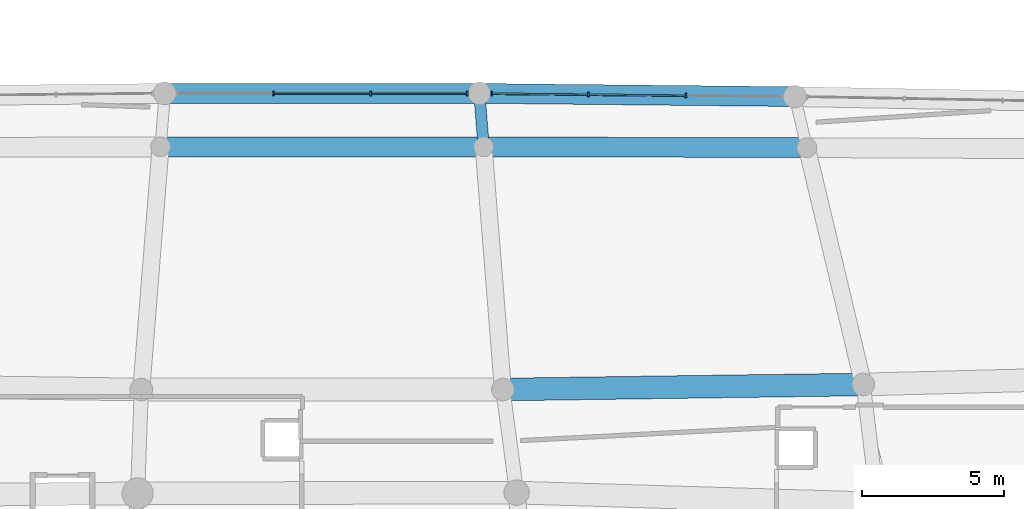
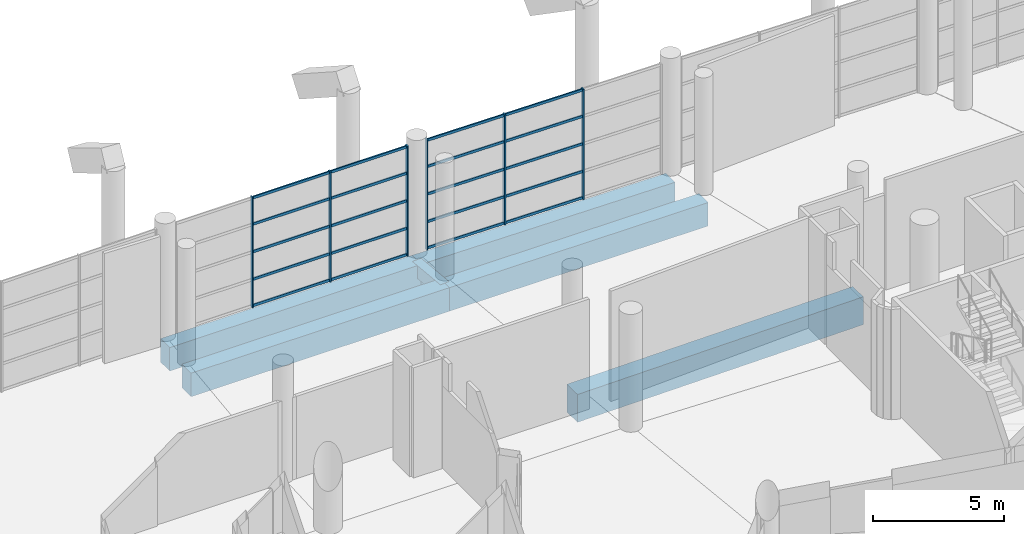
# One storey, part 28 of 271: 26 members, 6 beams, 2 elements without a shape of their own.
"""IFC4 building model written with IfcOpenShell, lengths in metres."""

from ifc_helpers import new_model, si_unit, direction, frame, origin, origin_2d, place, context, subcontext, project, spatial, rectangle, extrude, material, layer, layer_set, material_profile, profile_set, type_object, element, aggregate, save


model = new_model("IFC4")

# Units and contexts
model_context = context("Model", 3, precision=1e-05, world=origin(), true_north=direction((0.0, 1.0)))
body_context = subcontext(model_context, "Body", "Model", "MODEL_VIEW")
ifc_project = project(units=[si_unit("LENGTHUNIT", "METRE"), si_unit("AREAUNIT", "SQUARE_METRE"), si_unit("VOLUMEUNIT", "CUBIC_METRE"), si_unit("PLANEANGLEUNIT", "RADIAN"), si_unit("MASSUNIT", "GRAM", prefix="KILO")], contexts=[model_context])

# Site, building, storey
site_placement = place(None, origin())
site = spatial("IfcSite", under=ifc_project, at=site_placement, CompositionType="ELEMENT")
building_placement = place(site_placement, origin())
building = spatial("IfcBuilding", under=site, at=building_placement, Name="Meseta Stadium", CompositionType="ELEMENT")
storey_placement = place(building_placement, frame((0.0, 0.0, 6.5)))
storey = spatial("IfcBuildingStorey", under=building, at=storey_placement, Name="L01", CompositionType="ELEMENT", Elevation=6.5)

# Curtain wall, members
ifc_material_1 = material(Name="Aluminium", Category="aluminium")
ifc_layer = layer(ifc_material_1, 0.199951171875)
ifc_layer_set = layer_set([ifc_layer], Name="Club glazing curtain wall")
curtain_wall_type = type_object("IfcCurtainWallType", Name="Club glazing curtain wall", PredefinedType="NOTDEFINED", material=ifc_layer_set)
curtain_wall_1_placement = place(storey_placement, origin())
curtain_wall_1 = element("IfcCurtainWall", 1, at=curtain_wall_1_placement, inside=storey, type_object=curtain_wall_type, Name="Club glazing bay 46", PredefinedType="NOTDEFINED")
ifc_material_2 = material(Name="Aluminium", Category="aluminium")
ifc_material_profile_1 = material_profile(ifc_material_2, rectangle(XDim=0.159912109375, YDim=0.06005859375, at=origin_2d()), Name="CW 160x60")
ifc_profile_set_1 = profile_set([ifc_material_profile_1], Name="Aluminium")
member_type_1 = type_object("IfcMemberType", Name="CW mullion 60x160", PredefinedType="MULLION", material=ifc_profile_set_1)
member_1_placement = place(storey_placement, frame((-1.718994140625, -75.4150390625, 0.0), z_axis=(0.0, 0.0, 1.0), x_axis=(0.0, 1.0, 0.0)))
member_1 = element("IfcMember", 2, at=member_1_placement, type_object=member_type_1, Name="CWC mullion 2", PredefinedType="MULLION", context=body_context, shape_type="SweptSolid", body=[
    extrude(rectangle(XDim=0.159912109375, YDim=0.06005859375, at=origin_2d()), origin(), (0.0, 0.0, 1.0), 5.14990234375),
])
member_2_placement = place(storey_placement, frame((1.718994140625, -75.4150390625, 0.0), z_axis=(0.0, 0.0, 1.0), x_axis=(0.0, 1.0, 0.0)))
member_2 = element("IfcMember", 3, at=member_2_placement, type_object=member_type_1, Name="CWC mullion 3", PredefinedType="MULLION", context=body_context, shape_type="SweptSolid", body=[
    extrude(rectangle(XDim=0.159912109375, YDim=0.06005859375, at=origin_2d()), origin(), (0.0, 0.0, 1.0), 5.14990234375),
])
member_3_placement = place(storey_placement, frame((5.126708984375, -75.4150390625, 0.0), z_axis=(0.0, 0.0, 1.0), x_axis=(0.0, 1.0, 0.0)))
member_3 = element("IfcMember", 4, at=member_3_placement, type_object=member_type_1, Name="CWC mullion 4", PredefinedType="MULLION", context=body_context, shape_type="SweptSolid", body=[
    extrude(rectangle(XDim=0.159912109375, YDim=0.06005859375, at=origin_2d()), origin(), (0.0, 0.0, 1.0), 5.14990234375),
])

curtain_wall_2_placement = place(storey_placement, origin())
curtain_wall_2 = element("IfcCurtainWall", 5, at=curtain_wall_2_placement, inside=storey, type_object=curtain_wall_type, Name="Club glazing bay 47", PredefinedType="NOTDEFINED")
member_4_placement = place(storey_placement, frame((5.986572265625, -75.41943359375, 0.0), z_axis=(0.0, 0.0, 1.0), x_axis=(0.010278991253, 0.999947169774, 0.0)))
member_4 = element("IfcMember", 6, at=member_4_placement, type_object=member_type_1, Name="CWC mullion 1", PredefinedType="MULLION", context=body_context, shape_type="SweptSolid", body=[
    extrude(rectangle(XDim=0.159912109375, YDim=0.06005859375, at=origin_2d()), origin(), (0.0, 0.0, 1.0), 5.14990234375),
])
member_5_placement = place(storey_placement, frame((9.403564453125, -75.454345703125, 0.0), z_axis=(0.0, 0.0, 1.0), x_axis=(0.010278991253, 0.999947169774, 0.0)))
member_5 = element("IfcMember", 7, at=member_5_placement, type_object=member_type_1, Name="CWC mullion 2", PredefinedType="MULLION", context=body_context, shape_type="SweptSolid", body=[
    extrude(rectangle(XDim=0.159912109375, YDim=0.06005859375, at=origin_2d()), origin(), (0.0, 0.0, 1.0), 5.14990234375),
])
member_6_placement = place(storey_placement, frame((12.8505859375, -75.489990234375, 0.0), z_axis=(0.0, 0.0, 1.0), x_axis=(0.010278991253, 0.999947169774, 0.0)))
member_6 = element("IfcMember", 8, at=member_6_placement, type_object=member_type_1, Name="CWC mullion 3", PredefinedType="MULLION", context=body_context, shape_type="SweptSolid", body=[
    extrude(rectangle(XDim=0.159912109375, YDim=0.06005859375, at=origin_2d()), origin(), (0.0, 0.0, 1.0), 5.14990234375),
])

# Member
ifc_material_3 = material(Name="Aluminium", Category="aluminium")
ifc_material_profile_2 = material_profile(ifc_material_3, rectangle(XDim=0.06005859375, YDim=0.1201171875, at=origin_2d()), Name="CW 60x120")
ifc_profile_set_2 = profile_set([ifc_material_profile_2], Name="Aluminium")
member_type_2 = type_object("IfcMemberType", Name="CW transom 60x120", PredefinedType="USERDEFINED", material=ifc_profile_set_2)
member_7_placement = place(storey_placement, frame((-1.68896484375, -75.4150390625, 0.06005859375), z_axis=(1.0, 0.0, 0.0), x_axis=(0.0, 1.0, 0.0)))
member_7 = element("IfcMember", 9, at=member_7_placement, type_object=member_type_2, Name="CWC transom 2.1", ObjectType="TRANSOM", PredefinedType="USERDEFINED", context=body_context, shape_type="SweptSolid", body=[
    extrude(rectangle(XDim=0.06005859375, YDim=0.1201171875, at=origin_2d()), origin(), (0.0, 0.0, 1.0), 3.3779296875),
])

member_8_placement = place(storey_placement, frame((-1.68896484375, -75.4150390625, 1.28759765625), z_axis=(1.0, 0.0, 0.0), x_axis=(0.0, 1.0, 0.0)))
member_8 = element("IfcMember", 10, at=member_8_placement, type_object=member_type_2, Name="CWC transom 2.2", ObjectType="TRANSOM", PredefinedType="USERDEFINED", context=body_context, shape_type="SweptSolid", body=[
    extrude(rectangle(XDim=0.06005859375, YDim=0.1201171875, at=origin_2d()), origin(), (0.0, 0.0, 1.0), 3.3779296875),
])

member_9_placement = place(storey_placement, frame((-1.68896484375, -75.4150390625, 2.574951171875), z_axis=(1.0, 0.0, 0.0), x_axis=(0.0, 1.0, 0.0)))
member_9 = element("IfcMember", 11, at=member_9_placement, type_object=member_type_2, Name="CWC transom 2.3", ObjectType="TRANSOM", PredefinedType="USERDEFINED", context=body_context, shape_type="SweptSolid", body=[
    extrude(rectangle(XDim=0.06005859375, YDim=0.1201171875, at=origin_2d()), origin(), (0.0, 0.0, 1.0), 3.3779296875),
])

member_10_placement = place(storey_placement, frame((-1.68896484375, -75.4150390625, 3.862548828125), z_axis=(1.0, 0.0, 0.0), x_axis=(0.0, 1.0, 0.0)))
member_10 = element("IfcMember", 12, at=member_10_placement, type_object=member_type_2, Name="CWC transom 2.4", ObjectType="TRANSOM", PredefinedType="USERDEFINED", context=body_context, shape_type="SweptSolid", body=[
    extrude(rectangle(XDim=0.06005859375, YDim=0.1201171875, at=origin_2d()), origin(), (0.0, 0.0, 1.0), 3.3779296875),
])

member_11_placement = place(storey_placement, frame((-1.68896484375, -75.4150390625, 5.090087890625), z_axis=(1.0, 0.0, 0.0), x_axis=(0.0, 1.0, 0.0)))
member_11 = element("IfcMember", 13, at=member_11_placement, type_object=member_type_2, Name="CWC transom 2.5", ObjectType="TRANSOM", PredefinedType="USERDEFINED", context=body_context, shape_type="SweptSolid", body=[
    extrude(rectangle(XDim=0.06005859375, YDim=0.1201171875, at=origin_2d()), origin(), (0.0, 0.0, 1.0), 3.3779296875),
])

member_12_placement = place(storey_placement, frame((1.7490234375, -75.4150390625, 0.06005859375), z_axis=(1.0, 0.0, 0.0), x_axis=(0.0, 1.0, 0.0)))
member_12 = element("IfcMember", 14, at=member_12_placement, type_object=member_type_2, Name="CWC transom 3.1", ObjectType="TRANSOM", PredefinedType="USERDEFINED", context=body_context, shape_type="SweptSolid", body=[
    extrude(rectangle(XDim=0.06005859375, YDim=0.1201171875, at=origin_2d()), origin(), (0.0, 0.0, 1.0), 3.34765625),
])

member_13_placement = place(storey_placement, frame((1.7490234375, -75.4150390625, 1.28759765625), z_axis=(1.0, 0.0, 0.0), x_axis=(0.0, 1.0, 0.0)))
member_13 = element("IfcMember", 15, at=member_13_placement, type_object=member_type_2, Name="CWC transom 3.2", ObjectType="TRANSOM", PredefinedType="USERDEFINED", context=body_context, shape_type="SweptSolid", body=[
    extrude(rectangle(XDim=0.06005859375, YDim=0.1201171875, at=origin_2d()), origin(), (0.0, 0.0, 1.0), 3.34765625),
])

member_14_placement = place(storey_placement, frame((1.7490234375, -75.4150390625, 2.574951171875), z_axis=(1.0, 0.0, 0.0), x_axis=(0.0, 1.0, 0.0)))
member_14 = element("IfcMember", 16, at=member_14_placement, type_object=member_type_2, Name="CWC transom 3.3", ObjectType="TRANSOM", PredefinedType="USERDEFINED", context=body_context, shape_type="SweptSolid", body=[
    extrude(rectangle(XDim=0.06005859375, YDim=0.1201171875, at=origin_2d()), origin(), (0.0, 0.0, 1.0), 3.34765625),
])

member_15_placement = place(storey_placement, frame((1.7490234375, -75.4150390625, 3.862548828125), z_axis=(1.0, 0.0, 0.0), x_axis=(0.0, 1.0, 0.0)))
member_15 = element("IfcMember", 17, at=member_15_placement, type_object=member_type_2, Name="CWC transom 3.4", ObjectType="TRANSOM", PredefinedType="USERDEFINED", context=body_context, shape_type="SweptSolid", body=[
    extrude(rectangle(XDim=0.06005859375, YDim=0.1201171875, at=origin_2d()), origin(), (0.0, 0.0, 1.0), 3.34765625),
])

member_16_placement = place(storey_placement, frame((1.7490234375, -75.4150390625, 5.090087890625), z_axis=(1.0, 0.0, 0.0), x_axis=(0.0, 1.0, 0.0)))
member_16 = element("IfcMember", 18, at=member_16_placement, type_object=member_type_2, Name="CWC transom 3.5", ObjectType="TRANSOM", PredefinedType="USERDEFINED", context=body_context, shape_type="SweptSolid", body=[
    extrude(rectangle(XDim=0.06005859375, YDim=0.1201171875, at=origin_2d()), origin(), (0.0, 0.0, 1.0), 3.34765625),
])

aggregate(curtain_wall_1, [member_1, member_2, member_3, member_7, member_8, member_9, member_10, member_11, member_12, member_13, member_14, member_15, member_16])

member_17_placement = place(storey_placement, frame((6.0166015625, -75.419677734375, 0.06005859375), z_axis=(0.999947426295, -0.010254006335, 0.0), x_axis=(0.010254006335, 0.999947426295, 0.0)))
member_17 = element("IfcMember", 19, at=member_17_placement, type_object=member_type_2, Name="CWC transom 1.1", ObjectType="TRANSOM", PredefinedType="USERDEFINED", context=body_context, shape_type="SweptSolid", body=[
    extrude(rectangle(XDim=0.06005859375, YDim=0.1201171875, at=origin_2d()), origin(), (0.0, 0.0, 1.0), 3.357177734375),
])

member_18_placement = place(storey_placement, frame((6.0166015625, -75.419677734375, 1.28759765625), z_axis=(0.999947426295, -0.010254006335, 0.0), x_axis=(0.010254006335, 0.999947426295, 0.0)))
member_18 = element("IfcMember", 20, at=member_18_placement, type_object=member_type_2, Name="CWC transom 1.2", ObjectType="TRANSOM", PredefinedType="USERDEFINED", context=body_context, shape_type="SweptSolid", body=[
    extrude(rectangle(XDim=0.06005859375, YDim=0.1201171875, at=origin_2d()), origin(), (0.0, 0.0, 1.0), 3.357177734375),
])

member_19_placement = place(storey_placement, frame((6.0166015625, -75.419677734375, 2.574951171875), z_axis=(0.999947426295, -0.010254006335, 0.0), x_axis=(0.010254006335, 0.999947426295, 0.0)))
member_19 = element("IfcMember", 21, at=member_19_placement, type_object=member_type_2, Name="CWC transom 1.3", ObjectType="TRANSOM", PredefinedType="USERDEFINED", context=body_context, shape_type="SweptSolid", body=[
    extrude(rectangle(XDim=0.06005859375, YDim=0.1201171875, at=origin_2d()), origin(), (0.0, 0.0, 1.0), 3.357177734375),
])

member_20_placement = place(storey_placement, frame((6.0166015625, -75.419677734375, 3.862548828125), z_axis=(0.999947426295, -0.010254006335, 0.0), x_axis=(0.010254006335, 0.999947426295, 0.0)))
member_20 = element("IfcMember", 22, at=member_20_placement, type_object=member_type_2, Name="CWC transom 1.4", ObjectType="TRANSOM", PredefinedType="USERDEFINED", context=body_context, shape_type="SweptSolid", body=[
    extrude(rectangle(XDim=0.06005859375, YDim=0.1201171875, at=origin_2d()), origin(), (0.0, 0.0, 1.0), 3.357177734375),
])

member_21_placement = place(storey_placement, frame((6.0166015625, -75.419677734375, 5.090087890625), z_axis=(0.999947426295, -0.010254006335, 0.0), x_axis=(0.010254006335, 0.999947426295, 0.0)))
member_21 = element("IfcMember", 23, at=member_21_placement, type_object=member_type_2, Name="CWC transom 1.5", ObjectType="TRANSOM", PredefinedType="USERDEFINED", context=body_context, shape_type="SweptSolid", body=[
    extrude(rectangle(XDim=0.06005859375, YDim=0.1201171875, at=origin_2d()), origin(), (0.0, 0.0, 1.0), 3.357177734375),
])

member_22_placement = place(storey_placement, frame((9.43359375, -75.454833984375, 0.06005859375), z_axis=(0.99994761924, -0.010235173498, 0.0), x_axis=(0.010235173498, 0.99994761924, 0.0)))
member_22 = element("IfcMember", 24, at=member_22_placement, type_object=member_type_2, Name="CWC transom 2.1", ObjectType="TRANSOM", PredefinedType="USERDEFINED", context=body_context, shape_type="SweptSolid", body=[
    extrude(rectangle(XDim=0.06005859375, YDim=0.1201171875, at=origin_2d()), origin(), (0.0, 0.0, 1.0), 3.38720703125),
])

member_23_placement = place(storey_placement, frame((9.43359375, -75.454833984375, 1.28759765625), z_axis=(0.99994761924, -0.010235173498, 0.0), x_axis=(0.010235173498, 0.99994761924, 0.0)))
member_23 = element("IfcMember", 25, at=member_23_placement, type_object=member_type_2, Name="CWC transom 2.2", ObjectType="TRANSOM", PredefinedType="USERDEFINED", context=body_context, shape_type="SweptSolid", body=[
    extrude(rectangle(XDim=0.06005859375, YDim=0.1201171875, at=origin_2d()), origin(), (0.0, 0.0, 1.0), 3.38720703125),
])

member_24_placement = place(storey_placement, frame((9.43359375, -75.454833984375, 2.574951171875), z_axis=(0.99994761924, -0.010235173498, 0.0), x_axis=(0.010235173498, 0.99994761924, 0.0)))
member_24 = element("IfcMember", 26, at=member_24_placement, type_object=member_type_2, Name="CWC transom 2.3", ObjectType="TRANSOM", PredefinedType="USERDEFINED", context=body_context, shape_type="SweptSolid", body=[
    extrude(rectangle(XDim=0.06005859375, YDim=0.1201171875, at=origin_2d()), origin(), (0.0, 0.0, 1.0), 3.38720703125),
])

member_25_placement = place(storey_placement, frame((9.43359375, -75.454833984375, 3.862548828125), z_axis=(0.99994761924, -0.010235173498, 0.0), x_axis=(0.010235173498, 0.99994761924, 0.0)))
member_25 = element("IfcMember", 27, at=member_25_placement, type_object=member_type_2, Name="CWC transom 2.4", ObjectType="TRANSOM", PredefinedType="USERDEFINED", context=body_context, shape_type="SweptSolid", body=[
    extrude(rectangle(XDim=0.06005859375, YDim=0.1201171875, at=origin_2d()), origin(), (0.0, 0.0, 1.0), 3.38720703125),
])

member_26_placement = place(storey_placement, frame((9.43359375, -75.454833984375, 5.090087890625), z_axis=(0.99994761924, -0.010235173498, 0.0), x_axis=(0.010235173498, 0.99994761924, 0.0)))
member_26 = element("IfcMember", 28, at=member_26_placement, type_object=member_type_2, Name="CWC transom 2.5", ObjectType="TRANSOM", PredefinedType="USERDEFINED", context=body_context, shape_type="SweptSolid", body=[
    extrude(rectangle(XDim=0.06005859375, YDim=0.1201171875, at=origin_2d()), origin(), (0.0, 0.0, 1.0), 3.38720703125),
])

aggregate(curtain_wall_2, [member_4, member_5, member_6, member_17, member_18, member_19, member_20, member_21, member_22, member_23, member_24, member_25, member_26])

# Beams
ifc_material_4 = material(Name="Concrete C40/50", Category="concrete")
ifc_material_profile_3 = material_profile(ifc_material_4, rectangle(XDim=0.39990234375, YDim=0.60009765625, at=origin_2d()), Name="RC 400x600")
ifc_profile_set_3 = profile_set([ifc_material_profile_3], Name="Concrete C40/50")
beam_type_1 = type_object("IfcBeamType", Name="RC beam 400x600", PredefinedType="BEAM", material=ifc_profile_set_3)
beam_1_placement = place(storey_placement, frame((5.556640625, -75.414794921875, -0.64990234375), z_axis=(0.079110203973, -0.996865876448, 0.0), x_axis=(0.996865876448, 0.079110203973, 0.0)))
element("IfcBeam", 29, at=beam_1_placement, inside=storey, type_object=beam_type_1, Name="L01 radial beam frame 47 line C to D", PredefinedType="BEAM", context=body_context, shape_type="SweptSolid", body=[
    extrude(rectangle(XDim=0.39990234375, YDim=0.60009765625, at=origin_2d()), origin(), (0.0, 0.0, 1.0), 1.894775390625),
])
ifc_material_5 = material(Name="Concrete C40/50", Category="concrete")
ifc_material_profile_4 = material_profile(ifc_material_5, rectangle(XDim=0.699951171875, YDim=1.10009765625, at=origin_2d()), Name="RC 700x1100")
ifc_profile_set_4 = profile_set([ifc_material_profile_4], Name="Concrete C40/50")
beam_type_2 = type_object("IfcBeamType", Name="RC beam 700x1100", PredefinedType="BEAM", material=ifc_profile_set_4)
beam_2_placement = place(storey_placement, frame((-5.556640625, -75.414794921875, -0.89990234375), z_axis=(1.0, 0.0, 0.0), x_axis=(0.0, 1.0, 0.0)))
element("IfcBeam", 30, at=beam_2_placement, inside=storey, type_object=beam_type_2, Name="L01 ring beam frame 46 line C", PredefinedType="BEAM", context=body_context, shape_type="SweptSolid", body=[
    extrude(rectangle(XDim=0.699951171875, YDim=1.10009765625, at=origin_2d()), origin(), (0.0, 0.0, 1.0), 11.11328125),
])
beam_3_placement = place(storey_placement, frame((-5.70654296875, -77.3037109375, -0.89990234375), z_axis=(1.0, 0.0, 0.0), x_axis=(0.0, 1.0, 0.0)))
element("IfcBeam", 31, at=beam_3_placement, inside=storey, type_object=beam_type_2, Name="L01 ring beam frame 46 line D", PredefinedType="BEAM", context=body_context, shape_type="SweptSolid", body=[
    extrude(rectangle(XDim=0.699951171875, YDim=1.10009765625, at=origin_2d()), origin(), (0.0, 0.0, 1.0), 11.4130859375),
])
beam_4_placement = place(storey_placement, frame((5.556640625, -75.414794921875, -0.89990234375), z_axis=(0.99994718914, -0.010277107175, 0.0), x_axis=(0.010277107175, 0.99994718914, 0.0)))
element("IfcBeam", 32, at=beam_4_placement, inside=storey, type_object=beam_type_2, Name="L01 ring beam frame 47 line C", PredefinedType="BEAM", context=body_context, shape_type="SweptSolid", body=[
    extrude(rectangle(XDim=0.699951171875, YDim=1.10009765625, at=origin_2d()), origin(), (0.0, 0.0, 1.0), 11.141357421875),
])
beam_5_placement = place(storey_placement, frame((5.70654296875, -77.3037109375, -0.89990234375), z_axis=(0.999996925183, -0.002479843584, 0.0), x_axis=(0.002479843584, 0.999996925183, 0.0)))
element("IfcBeam", 33, at=beam_5_placement, inside=storey, type_object=beam_type_2, Name="L01 ring beam frame 47 line D", PredefinedType="BEAM", context=body_context, shape_type="SweptSolid", body=[
    extrude(rectangle(XDim=0.699951171875, YDim=1.10009765625, at=origin_2d()), origin(), (0.0, 0.0, 1.0), 11.420166015625),
])
ifc_material_6 = material(Name="Concrete C40/50", Category="concrete")
ifc_material_profile_5 = material_profile(ifc_material_6, rectangle(XDim=0.800048828125, YDim=1.300048828125, at=origin_2d()), Name="RC 800x1300")
ifc_profile_set_5 = profile_set([ifc_material_profile_5], Name="Concrete C40/50")
beam_type_3 = type_object("IfcBeamType", Name="RC beam 800x1300", PredefinedType="BEAM", material=ifc_profile_set_5)
beam_6_placement = place(storey_placement, frame((6.386962890625, -85.876708984375, -1.0), z_axis=(0.999901768948, 0.014016149746, 0.0), x_axis=(-0.014016149746, 0.999901768948, 0.0)))
element("IfcBeam", 34, at=beam_6_placement, inside=storey, type_object=beam_type_3, Name="L01 ring beam frame 47 line E", PredefinedType="BEAM", context=body_context, shape_type="SweptSolid", body=[
    extrude(rectangle(XDim=0.800048828125, YDim=1.300048828125, at=origin_2d()), origin(), (0.0, 0.0, 1.0), 12.73291015625),
])

save(model, "model.ifc")
